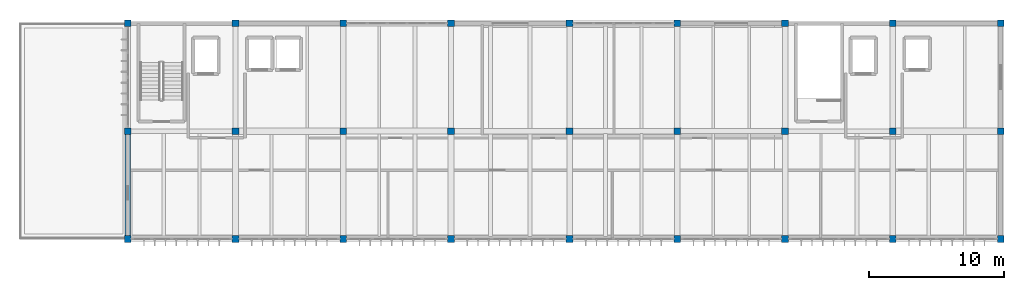
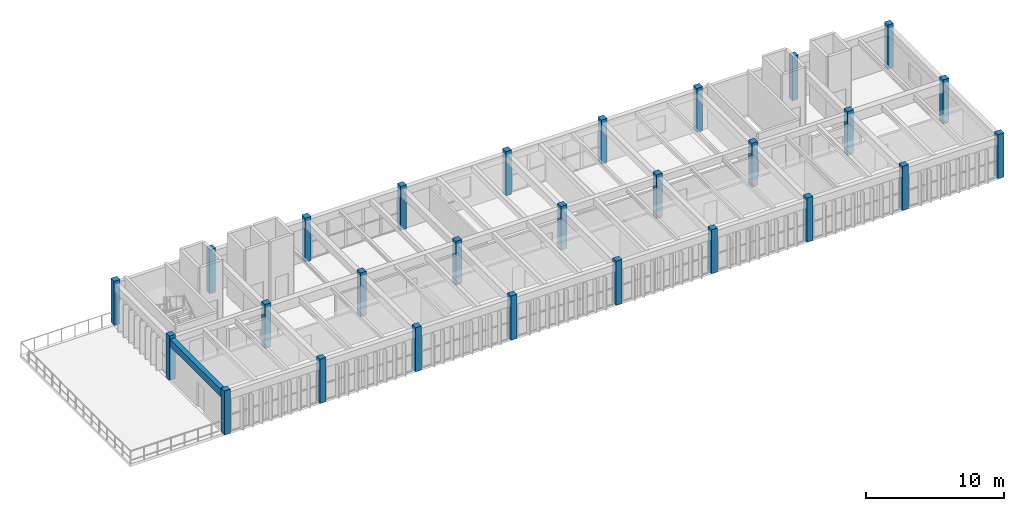
# One storey, part 1 of 12: 27 columns, 1 beam.
"""IFC4 building model written with IfcOpenShell, lengths in metres."""

from ifc_helpers import new_model, si_unit, direction, frame, origin, origin_2d, place, context, subcontext, project, spatial, rectangle, extrude, material, material_profile, profile_set, type_object, element, save


model = new_model("IFC4")

# Units and contexts
model_context = context("Model", 3, precision=1e-05, world=origin(), true_north=direction((0.0, 1.0)))
body_context = subcontext(model_context, "Body", "Model", "MODEL_VIEW")
ifc_project = project(units=[si_unit("LENGTHUNIT", "METRE"), si_unit("AREAUNIT", "SQUARE_METRE"), si_unit("VOLUMEUNIT", "CUBIC_METRE"), si_unit("PLANEANGLEUNIT", "RADIAN"), si_unit("MASSUNIT", "GRAM", prefix="KILO")], contexts=[model_context])

# Site, building, storey
site_placement = place(None, origin())
site = spatial("IfcSite", under=ifc_project, at=site_placement, CompositionType="ELEMENT")
building_placement = place(site_placement, origin())
building = spatial("IfcBuilding", under=site, at=building_placement, Name="Tlaxcora Railside Police Headquarters", CompositionType="ELEMENT")
storey_placement = place(building_placement, frame((0.0, 0.0, 29.699951171875)))
storey = spatial("IfcBuildingStorey", under=building, at=storey_placement, Name="L07", CompositionType="ELEMENT", Elevation=29.699951171875)

# Columns
ifc_material = material(Name="Concrete C40/50", Category="concrete")
ifc_material_profile_1 = material_profile(ifc_material, rectangle(XDim=0.5, YDim=0.5, at=origin_2d()), Name="RC500X500")
ifc_profile_set_1 = profile_set([ifc_material_profile_1], Name="Concrete C40/50")
column_type = type_object("IfcColumnType", Name="Structural Column CL-55", PredefinedType="COLUMN", material=ifc_profile_set_1)
for number, where, z_axis, x_axis, name in (
    (1, (21.199951171875, 76.800048828125, 0.0), (0.0, 0.0, 1.0), (1.0, 0.0, 0.0), "L07 column (21.2, 76.8)"),
    (2, (21.199951171875, 84.800048828125, 0.0), (0.0, 0.0, 1.0), (1.0, 0.0, 0.0), "L07 column (21.2, 84.8)"),
    (3, (21.199951171875, 92.800048828125, 0.0), (0.0, 0.0, 1.0), (1.0, 0.0, 0.0), "L07 column (21.2, 92.8)"),
    (4, (29.199951171875, 76.800048828125, 0.0), (0.0, 0.0, 1.0), (1.0, 0.0, 0.0), "L07 column (29.2, 76.8)"),
    (5, (29.199951171875, 84.800048828125, 0.0), (0.0, 0.0, 1.0), (1.0, 0.0, 0.0), "L07 column (29.2, 84.8)"),
    (6, (29.199951171875, 92.800048828125, 0.0), (0.0, 0.0, 1.0), (1.0, 0.0, 0.0), "L07 column (29.2, 92.8)"),
    (7, (37.199951171875, 76.800048828125, 0.0), (0.0, 0.0, 1.0), (1.0, 0.0, 0.0), "L07 column (37.2, 76.8)"),
    (8, (37.199951171875, 84.800048828125, 0.0), (0.0, 0.0, 1.0), (1.0, 0.0, 0.0), "L07 column (37.2, 84.8)"),
    (9, (37.199951171875, 92.800048828125, 0.0), (0.0, 0.0, 1.0), (1.0, 0.0, 0.0), "L07 column (37.2, 92.8)"),
    (10, (45.199951171875, 76.800048828125, 0.0), (0.0, 0.0, 1.0), (1.0, 0.0, 0.0), "L07 column (45.2, 76.8)"),
    (11, (45.199951171875, 84.800048828125, 0.0), (0.0, 0.0, 1.0), (1.0, 0.0, 0.0), "L07 column (45.2, 84.8)"),
    (12, (45.199951171875, 92.800048828125, 0.0), (0.0, 0.0, 1.0), (1.0, 0.0, 0.0), "L07 column (45.2, 92.8)"),
    (13, (54.0, 76.800048828125, 0.0), (0.0, 0.0, 1.0), (1.0, 0.0, 0.0), "L07 column (54.0, 76.8)"),
    (14, (54.0, 84.800048828125, 0.0), (0.0, 0.0, 1.0), (1.0, 0.0, 0.0), "L07 column (54.0, 84.8)"),
    (15, (54.0, 92.800048828125, 0.0), (0.0, 0.0, 1.0), (1.0, 0.0, 0.0), "L07 column (54.0, 92.8)"),
    (16, (62.0, 76.800048828125, 0.0), (0.0, 0.0, 1.0), (1.0, 0.0, 0.0), "L07 column (62.0, 76.8)"),
    (17, (62.0, 84.800048828125, 0.0), (0.0, 0.0, 1.0), (1.0, 0.0, 0.0), "L07 column (62.0, 84.8)"),
    (18, (62.0, 92.800048828125, 0.0), (0.0, 0.0, 1.0), (1.0, 0.0, 0.0), "L07 column (62.0, 92.8)"),
    (19, (70.0, 76.800048828125, 0.0), (0.0, 0.0, 1.0), (1.0, 0.0, 0.0), "L07 column (70.0, 76.8)"),
    (20, (70.0, 84.800048828125, 0.0), (0.0, 0.0, 1.0), (1.0, 0.0, 0.0), "L07 column (70.0, 84.8)"),
    (21, (70.0, 92.800048828125, 0.0), (0.0, 0.0, 1.0), (1.0, 0.0, 0.0), "L07 column (70.0, 92.8)"),
    (22, (78.0, 76.800048828125, 0.0), (0.0, 0.0, 1.0), (1.0, 0.0, 0.0), "L07 column (78.0, 76.8)"),
    (23, (78.0, 84.800048828125, 0.0), (0.0, 0.0, 1.0), (1.0, 0.0, 0.0), "L07 column (78.0, 84.8)"),
    (24, (78.0, 92.800048828125, 0.0), (0.0, 0.0, 1.0), (1.0, 0.0, 0.0), "L07 column (78.0, 92.8)"),
    (25, (86.0, 76.800048828125, 0.0), (0.0, 0.0, 1.0), (1.0, 0.0, 0.0), "L07 column (86.0, 76.8)"),
    (26, (86.0, 84.800048828125, 0.0), (0.0, 0.0, 1.0), (1.0, 0.0, 0.0), "L07 column (86.0, 84.8)"),
    (27, (86.0, 92.800048828125, 0.0), (0.0, 0.0, 1.0), (1.0, 0.0, 0.0), "L07 column (86.0, 92.8)"),
):
    element("IfcColumn", number, at=place(storey_placement, frame(where, z_axis=z_axis, x_axis=x_axis)), inside=storey, type_object=column_type, Name=name, PredefinedType="COLUMN", context=body_context, shape_type="SweptSolid", body=[
        extrude(rectangle(XDim=0.5, YDim=0.5, at=origin_2d()), origin(), (0.0, 0.0, 1.0), 3.900146484375),
    ])

# Beam
ifc_material_profile_2 = material_profile(ifc_material, rectangle(XDim=0.39990234375, YDim=0.64990234375, at=origin_2d()), Name="RC400X650")
ifc_profile_set_2 = profile_set([ifc_material_profile_2], Name="Concrete C40/50")
beam_type = type_object("IfcBeamType", Name="Perimeter Spandrel Beam BM-46", PredefinedType="SPANDREL", material=ifc_profile_set_2)
beam_placement = place(storey_placement, frame((21.199951171875, 77.0400390625, 3.304931640625), z_axis=(0.0, 1.0, 0.0), x_axis=(-1.0, 0.0, 0.0)))
element("IfcBeam", 28, at=beam_placement, inside=storey, type_object=beam_type, Name="V5 L07 Y-girder X=21.2", PredefinedType="SPANDREL", context=body_context, shape_type="SweptSolid", body=[
    extrude(rectangle(XDim=0.39990234375, YDim=0.64990234375, at=origin_2d()), origin(), (0.0, 0.0, 1.0), 7.52001953125),
])

save(model, "model.ifc")
